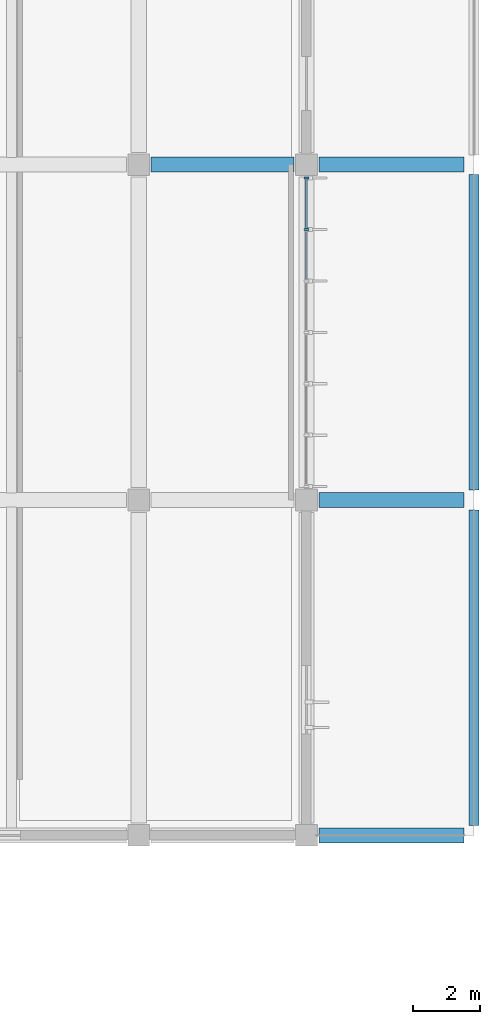
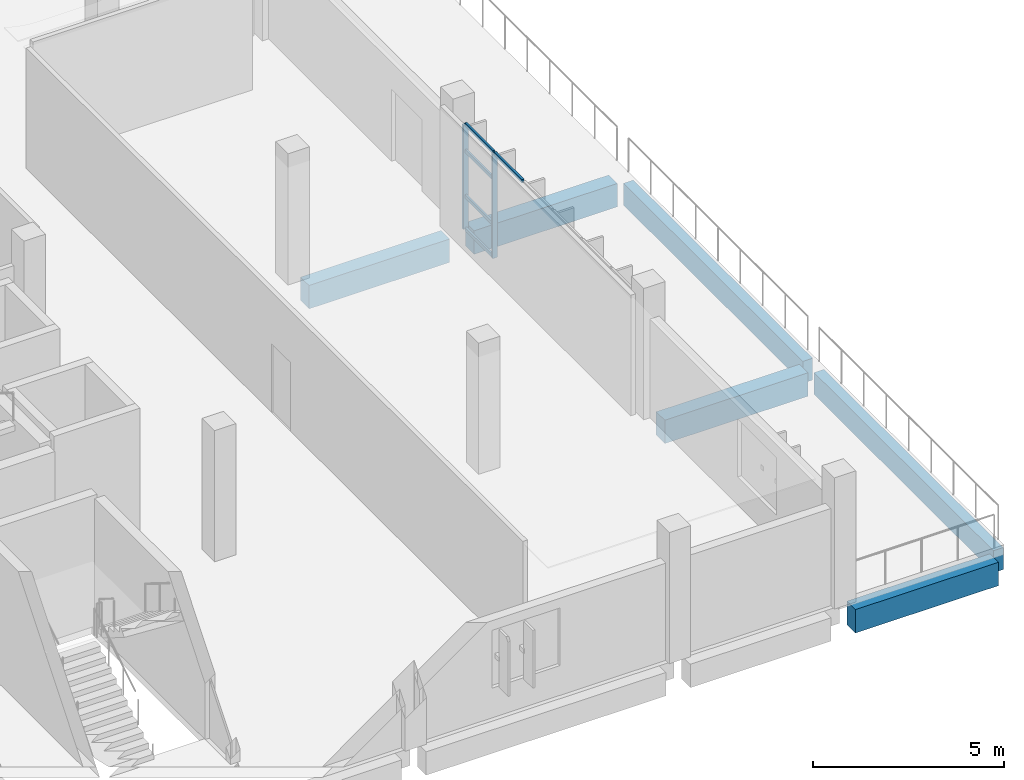
# One storey, part 55 of 142: 7 members, 6 beams, 1 element without a shape of its own.
"""IFC4 building model written with IfcOpenShell, lengths in metres."""

from ifc_helpers import new_model, si_unit, direction, frame, origin, origin_2d, place, context, subcontext, project, spatial, rectangle, extrude, material, layer, layer_set, material_profile, profile_set, type_object, element, aggregate, save


model = new_model("IFC4")

# Units and contexts
model_context = context("Model", 3, precision=1e-05, world=origin(), true_north=direction((0.0, 1.0)))
body_context = subcontext(model_context, "Body", "Model", "MODEL_VIEW")
ifc_project = project(units=[si_unit("LENGTHUNIT", "METRE"), si_unit("AREAUNIT", "SQUARE_METRE"), si_unit("VOLUMEUNIT", "CUBIC_METRE"), si_unit("PLANEANGLEUNIT", "RADIAN"), si_unit("MASSUNIT", "GRAM", prefix="KILO")], contexts=[model_context])

# Site, building, storey
site_placement = place(None, origin())
site = spatial("IfcSite", under=ifc_project, at=site_placement, CompositionType="ELEMENT")
building_placement = place(site_placement, origin())
building = spatial("IfcBuilding", under=site, at=building_placement, Name="Corvandel Quay Wholesale Market", CompositionType="ELEMENT")
storey_placement = place(building_placement, frame((0.0, 0.0, 10.800048828125)))
storey = spatial("IfcBuildingStorey", under=building, at=storey_placement, Name="L02", CompositionType="ELEMENT", Elevation=10.800048828125)

# Curtain wall, members
ifc_material_1 = material(Name="Bronze anodised aluminium and low-E insulated glazing", Category="aluminium")
ifc_layer = layer(ifc_material_1, 0.197998046875)
ifc_layer_set = layer_set([ifc_layer], Name="Bronze anodised aluminium and low-E insulated glazing")
curtain_wall_type = type_object("IfcCurtainWallType", Name="Stick Curtain Wall System CW14 H4260", PredefinedType="NOTDEFINED", material=ifc_layer_set)
curtain_wall_placement = place(storey_placement, origin())
curtain_wall = element("IfcCurtainWall", 1, at=curtain_wall_placement, inside=storey, type_object=curtain_wall_type, Name="Curtain Wall CW-0156", PredefinedType="NOTDEFINED")
ifc_material_2 = material(Name="Anodised aluminium 6063-T6", Category="aluminium")
ifc_material_profile_1 = material_profile(ifc_material_2, rectangle(XDim=0.06494140625, YDim=0.14990234375, at=origin_2d()), Name="ALU-MUL-65x150")
ifc_profile_set_1 = profile_set([ifc_material_profile_1], Name="Anodised aluminium 6063-T6")
member_type_1 = type_object("IfcMemberType", Name="Curtain Wall Mullion ML02 65x150", PredefinedType="MULLION", material=ifc_profile_set_1)
member_1_placement = place(storey_placement, frame((243.0, 28.066650390625, 0.0), z_axis=(0.0, 0.0, 1.0), x_axis=(0.0, 1.0, 0.0)))
member_1 = element("IfcMember", 2, at=member_1_placement, type_object=member_type_1, Name="Mullion CW-0156-M05", PredefinedType="MULLION", context=body_context, shape_type="SweptSolid", body=[
    extrude(rectangle(XDim=0.06494140625, YDim=0.14990234375, at=origin_2d()), origin(), (0.0, 0.0, 1.0), 3.349853515625),
])
member_2_placement = place(storey_placement, frame((243.0, 29.60009765625, 0.0), z_axis=(0.0, 0.0, 1.0), x_axis=(0.0, 1.0, 0.0)))
member_2 = element("IfcMember", 3, at=member_2_placement, type_object=member_type_1, Name="Mullion CW-0156-M06", PredefinedType="MULLION", context=body_context, shape_type="SweptSolid", body=[
    extrude(rectangle(XDim=0.06494140625, YDim=0.14990234375, at=origin_2d()), origin(), (0.0, 0.0, 1.0), 3.349853515625),
])
ifc_material_profile_2 = material_profile(ifc_material_2, rectangle(XDim=0.06005859375, YDim=0.110107421875, at=origin_2d()), Name="ALU-TRN-60x110")
ifc_profile_set_2 = profile_set([ifc_material_profile_2], Name="Anodised aluminium 6063-T6")
member_type_2 = type_object("IfcMemberType", Name="Curtain Wall Transom TR02 60x110", PredefinedType="USERDEFINED", material=ifc_profile_set_2)
member_3_placement = place(storey_placement, frame((243.0, 26.56591796875, 3.349853515625), z_axis=(0.0, 1.0, 0.0), x_axis=(-1.0, 0.0, 0.0)))
member_3 = element("IfcMember", 4, at=member_3_placement, type_object=member_type_2, Name="Transom CW-0156-T04-3", ObjectType="TRANSOM", PredefinedType="USERDEFINED", context=body_context, shape_type="SweptSolid", body=[
    extrude(rectangle(XDim=0.06005859375, YDim=0.110107421875, at=origin_2d()), origin(), (0.0, 0.0, 1.0), 1.46826171875),
])
member_4_placement = place(storey_placement, frame((243.0, 28.09912109375, 0.0), z_axis=(0.0, 1.0, 0.0), x_axis=(-1.0, 0.0, 0.0)))
member_4 = element("IfcMember", 5, at=member_4_placement, type_object=member_type_2, Name="Transom CW-0156-T05-0", ObjectType="TRANSOM", PredefinedType="USERDEFINED", context=body_context, shape_type="SweptSolid", body=[
    extrude(rectangle(XDim=0.06005859375, YDim=0.110107421875, at=origin_2d()), origin(), (0.0, 0.0, 1.0), 1.46826171875),
])
member_5_placement = place(storey_placement, frame((243.0, 28.09912109375, 1.050048828125), z_axis=(0.0, 1.0, 0.0), x_axis=(-1.0, 0.0, 0.0)))
member_5 = element("IfcMember", 6, at=member_5_placement, type_object=member_type_2, Name="Transom CW-0156-T05-1", ObjectType="TRANSOM", PredefinedType="USERDEFINED", context=body_context, shape_type="SweptSolid", body=[
    extrude(rectangle(XDim=0.06005859375, YDim=0.110107421875, at=origin_2d()), origin(), (0.0, 0.0, 1.0), 1.46826171875),
])
member_6_placement = place(storey_placement, frame((243.0, 28.09912109375, 2.5), z_axis=(0.0, 1.0, 0.0), x_axis=(-1.0, 0.0, 0.0)))
member_6 = element("IfcMember", 7, at=member_6_placement, type_object=member_type_2, Name="Transom CW-0156-T05-2", ObjectType="TRANSOM", PredefinedType="USERDEFINED", context=body_context, shape_type="SweptSolid", body=[
    extrude(rectangle(XDim=0.06005859375, YDim=0.110107421875, at=origin_2d()), origin(), (0.0, 0.0, 1.0), 1.46826171875),
])
member_7_placement = place(storey_placement, frame((243.0, 28.09912109375, 3.349853515625), z_axis=(0.0, 1.0, 0.0), x_axis=(-1.0, 0.0, 0.0)))
member_7 = element("IfcMember", 8, at=member_7_placement, type_object=member_type_2, Name="Transom CW-0156-T05-3", ObjectType="TRANSOM", PredefinedType="USERDEFINED", context=body_context, shape_type="SweptSolid", body=[
    extrude(rectangle(XDim=0.06005859375, YDim=0.110107421875, at=origin_2d()), origin(), (0.0, 0.0, 1.0), 1.46826171875),
])
aggregate(curtain_wall, [member_1, member_2, member_3, member_4, member_5, member_6, member_7])

# Beams
ifc_material_3 = material(Name="Precast concrete C45/55", Category="concrete")
ifc_material_profile_3 = material_profile(ifc_material_3, rectangle(XDim=0.300048828125, YDim=0.699951171875, at=origin_2d()), Name="PC-SPN-300x700")
ifc_profile_set_3 = profile_set([ifc_material_profile_3], Name="Precast concrete C45/55")
beam_type_1 = type_object("IfcBeamType", Name="Terrace Edge Spandrel SP03 300x700", PredefinedType="SPANDREL", material=ifc_profile_set_3)
for number, where, z_axis, x_axis, name in (
    (9, (248.0, 10.294921875, -0.670166015625), (0.0, 1.0, 0.0), (-1.0, 0.0, 0.0), "Beam BM-1585"),
    (10, (248.0, 20.294921875, -0.670166015625), (0.0, 1.0, 0.0), (-1.0, 0.0, 0.0), "Beam BM-1586"),
):
    element("IfcBeam", number, at=place(storey_placement, frame(where, z_axis=z_axis, x_axis=x_axis)), inside=storey, type_object=beam_type_1, Name=name, PredefinedType="SPANDREL", context=body_context, shape_type="SweptSolid", body=[
        extrude(rectangle(XDim=0.300048828125, YDim=0.699951171875, at=origin_2d()), origin(), (0.0, 0.0, 1.0), 9.41015625),
    ])
ifc_material_profile_4 = material_profile(ifc_material_3, rectangle(XDim=0.449951171875, YDim=0.75, at=origin_2d()), Name="PC-GIR-450x750")
ifc_profile_set_4 = profile_set([ifc_material_profile_4], Name="Precast concrete C45/55")
beam_type_2 = type_object("IfcBeamType", Name="Waterfront Office Girder G06 450x750", PredefinedType="USERDEFINED", material=ifc_profile_set_4)
for number, where, z_axis, x_axis, name in (
    (11, (243.3701171875, 10.0, -0.695068359375), (1.0, 0.0, 0.0), (0.0, 1.0, 0.0), "Beam BM-1512"),
    (12, (243.3701171875, 20.0, -0.695068359375), (1.0, 0.0, 0.0), (0.0, 1.0, 0.0), "Beam BM-1516"),
):
    element("IfcBeam", number, at=place(storey_placement, frame(where, z_axis=z_axis, x_axis=x_axis)), inside=storey, type_object=beam_type_2, Name=name, ObjectType="GIRDER", PredefinedType="USERDEFINED", context=body_context, shape_type="SweptSolid", body=[
        extrude(rectangle(XDim=0.449951171875, YDim=0.75, at=origin_2d()), origin(), (0.0, 0.0, 1.0), 4.3349609375),
    ])
beam_1_placement = place(storey_placement, frame((238.3701171875, 30.0, -0.695068359375), z_axis=(1.0, 0.0, 0.0), x_axis=(0.0, 1.0, 0.0)))
element("IfcBeam", 13, at=beam_1_placement, inside=storey, type_object=beam_type_2, Name="Beam BM-1519", ObjectType="GIRDER", PredefinedType="USERDEFINED", context=body_context, shape_type="SweptSolid", body=[
    extrude(rectangle(XDim=0.449951171875, YDim=0.75, at=origin_2d()), origin(), (0.0, 0.0, 1.0), 4.259765625),
])
beam_2_placement = place(storey_placement, frame((243.3701171875, 30.0, -0.695068359375), z_axis=(1.0, 0.0, 0.0), x_axis=(0.0, 1.0, 0.0)))
element("IfcBeam", 14, at=beam_2_placement, inside=storey, type_object=beam_type_2, Name="Beam BM-1520", ObjectType="GIRDER", PredefinedType="USERDEFINED", context=body_context, shape_type="SweptSolid", body=[
    extrude(rectangle(XDim=0.449951171875, YDim=0.75, at=origin_2d()), origin(), (0.0, 0.0, 1.0), 4.3349609375),
])

save(model, "model.ifc")
